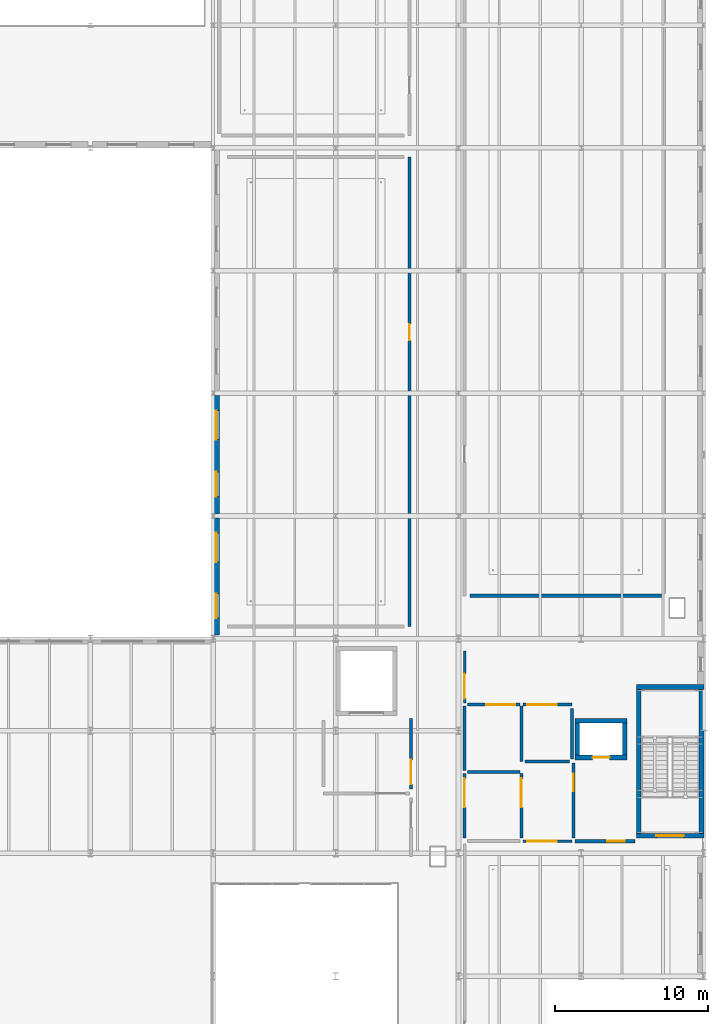
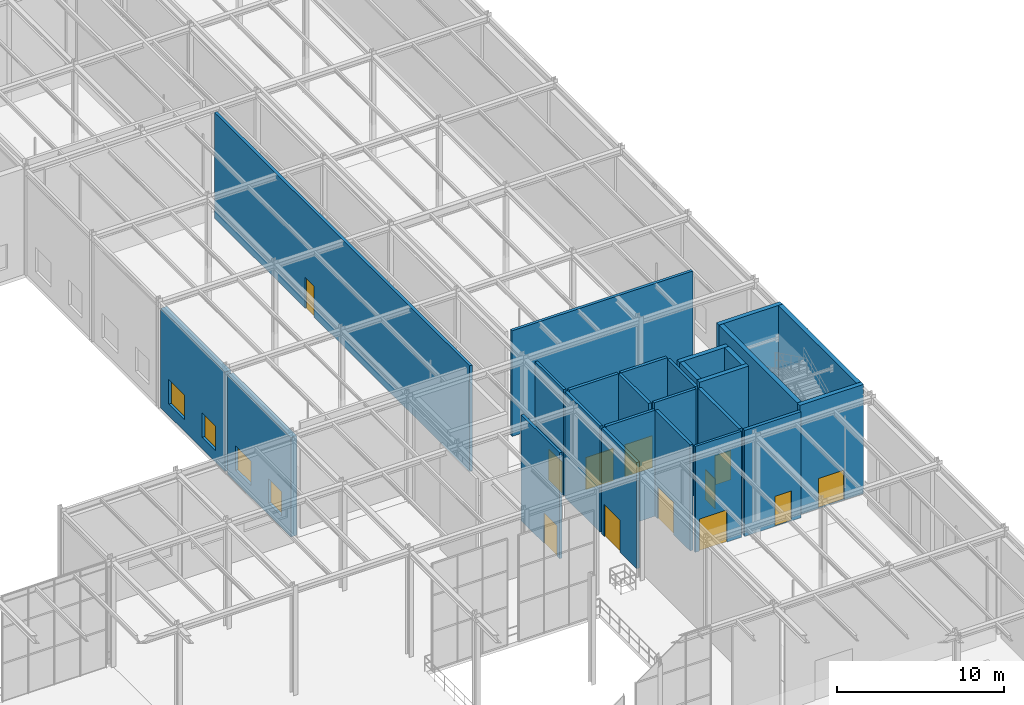
# One storey, part 97 of 138: 26 walls, 12 doors, 4 windows, 16 openings.
"""IFC4 building model written with IfcOpenShell, lengths in metres."""

from ifc_helpers import new_model, si_unit, direction, frame, frame_2d, origin, place, context, subcontext, project, spatial, rectangle, extrude, material, layer, layer_set, type_object, element, fill, save


model = new_model("IFC4")

# Units and contexts
model_context = context("Model", 3, precision=1e-05, world=origin(), true_north=direction((0.0, 1.0)))
body_context = subcontext(model_context, "Body", "Model", "MODEL_VIEW")
ifc_project = project(units=[si_unit("LENGTHUNIT", "METRE"), si_unit("AREAUNIT", "SQUARE_METRE"), si_unit("VOLUMEUNIT", "CUBIC_METRE"), si_unit("PLANEANGLEUNIT", "RADIAN"), si_unit("MASSUNIT", "GRAM", prefix="KILO")], contexts=[model_context])

# Site, building, storey
site_placement = place(None, origin())
site = spatial("IfcSite", under=ifc_project, at=site_placement, CompositionType="ELEMENT")
building_placement = place(site_placement, origin())
building = spatial("IfcBuilding", under=site, at=building_placement, Name="Sundkrona Museum", CompositionType="ELEMENT")
storey_placement = place(building_placement, frame((0.0, 0.0, 9.60009765625)))
storey = spatial("IfcBuildingStorey", under=building, at=storey_placement, Name="L02", CompositionType="ELEMENT", Elevation=9.60009765625)

# Wall, opening, door
ifc_material_1 = material(Name="Concrete C40/50", Category="concrete")
ifc_layer_1 = layer(ifc_material_1, 0.300048828125)
ifc_layer_set_1 = layer_set([ifc_layer_1], Name="Concrete C40/50")
wall_type_1 = type_object("IfcWallType", Name="W-CORE-300", PredefinedType="SHEAR", material=ifc_layer_set_1)
wall_1_placement = place(storey_placement, frame((163.60009765625, 33.14990234375, 0.0), z_axis=(0.0, 0.0, 1.0), x_axis=(1.0, 0.0, 0.0)))
wall_1 = element("IfcWall", 1, at=wall_1_placement, inside=storey, type_object=wall_type_1, Name="L02 ST-1 Core Shear Wall South", PredefinedType="SHEAR", context=body_context, shape_type="SweptSolid", body=[
    extrude(rectangle(XDim=4.39990234375, YDim=0.300048828125, at=frame_2d((2.199951171875, 0.0))), origin(), (0.0, 0.0, 1.0), 8.0),
])
opening_1_placement = place(wall_1_placement, frame((1.300048828125, 0.0, 0.0)))
opening_1 = element("IfcOpeningElement", 2, at=opening_1_placement, cuts=wall_1, Name="Opening D-FD60", PredefinedType="OPENING", context=body_context, shape_type="SweptSolid", body=[
    extrude(rectangle(XDim=1.800048828125, YDim=2.199951171875, at=frame_2d((0.89990234375, 1.10009765625))), frame((0.0, 0.159912109375, 0.0), z_axis=(0.0, -1.0, 0.0), x_axis=(1.0, 0.0, 0.0)), (0.0, 0.0, 1.0), 0.320068359375),
])
ifc_material_2 = material(Name="Steel S355J2 Fire Door Leaf", Category="steel")
door_type_1 = type_object("IfcDoorType", Name="D-FD60", OperationType="DOUBLE_DOOR_SINGLE_SWING", PredefinedType="DOOR", material=ifc_material_2)
door_1_placement = place(opening_1_placement, origin())
door_1 = element("IfcDoor", 3, at=door_1_placement, inside=storey, type_object=door_type_1, Name="L02 ST-1 Protected Escape Stair Door DR-ST-1-L02", OperationType="DOUBLE_DOOR_SINGLE_SWING", OverallHeight=2.199951171875, OverallWidth=1.800048828125, PredefinedType="DOOR", context=body_context, shape_type="SweptSolid", body=[
    extrude(rectangle(XDim=1.800048828125, YDim=2.199951171875, at=frame_2d((0.89990234375, 1.10009765625))), frame((0.0, 0.02490234375, 0.0), z_axis=(0.0, -1.0, 0.0), x_axis=(1.0, 0.0, 0.0)), (0.0, 0.0, 1.0), 0.050048828125),
])
fill(opening_1, door_1)

# Walls
wall_2_placement = place(storey_placement, frame((163.60009765625, 42.85009765625, 0.0), z_axis=(0.0, 0.0, 1.0), x_axis=(1.0, 0.0, 0.0)))
element("IfcWall", 4, at=wall_2_placement, inside=storey, type_object=wall_type_1, Name="L02 ST-1 Core Shear Wall North", PredefinedType="SHEAR", context=body_context, shape_type="SweptSolid", body=[
    extrude(rectangle(XDim=4.39990234375, YDim=0.300048828125, at=frame_2d((2.199951171875, 0.0))), origin(), (0.0, 0.0, 1.0), 8.0),
])
for number, where, z_axis, x_axis, name in (
    (5, (163.75, 33.31005859375, 0.0), (0.0, 0.0, 1.0), (0.0, 1.0, 0.0), "L02 ST-1 Core Shear Wall West"),
    (6, (167.85009765625, 33.31005859375, 0.0), (0.0, 0.0, 1.0), (0.0, 1.0, 0.0), "L02 ST-1 Core Shear Wall East"),
):
    element("IfcWall", number, at=place(storey_placement, frame(where, z_axis=z_axis, x_axis=x_axis)), inside=storey, type_object=wall_type_1, Name=name, PredefinedType="SHEAR", context=body_context, shape_type="SweptSolid", body=[
        extrude(rectangle(XDim=9.3798828125, YDim=0.300048828125, at=frame_2d((4.68994140625, 0.0))), origin(), (0.0, 0.0, 1.0), 8.0),
    ])

# Wall, opening, door
wall_3_placement = place(storey_placement, frame((159.60009765625, 38.25, 0.0), z_axis=(0.0, 0.0, 1.0), x_axis=(1.0, 0.0, 0.0)))
wall_3 = element("IfcWall", 7, at=wall_3_placement, inside=storey, type_object=wall_type_1, Name="L02 PL-1 Lift Shaft Wall South", PredefinedType="SHEAR", context=body_context, shape_type="SweptSolid", body=[
    extrude(rectangle(XDim=3.39990234375, YDim=0.300048828125, at=frame_2d((1.699951171875, 0.0))), origin(), (0.0, 0.0, 1.0), 8.0),
])
opening_2_placement = place(wall_3_placement, frame((1.14990234375, 0.0, 0.0)))
opening_2 = element("IfcOpeningElement", 8, at=opening_2_placement, cuts=wall_3, Name="Opening LD-01", PredefinedType="OPENING", context=body_context, shape_type="SweptSolid", body=[
    extrude(rectangle(XDim=1.10009765625, YDim=2.14990234375, at=frame_2d((0.550048828125, 1.074951171875))), frame((0.0, 0.159912109375, 0.0), z_axis=(0.0, -1.0, 0.0), x_axis=(1.0, 0.0, 0.0)), (0.0, 0.0, 1.0), 0.320068359375),
])
ifc_material_3 = material(Name="Brushed Stainless Steel Lift Door", Category="steel")
door_type_2 = type_object("IfcDoorType", Name="LD-01", OperationType="SLIDING_TO_LEFT", PredefinedType="DOOR", material=ifc_material_3)
door_2_placement = place(opening_2_placement, origin())
door_2 = element("IfcDoor", 9, at=door_2_placement, inside=storey, type_object=door_type_2, Name="L02 Firefighters Passenger Lift PL-1 Landing Door DR-LIFT-PL-1-L02", OperationType="SLIDING_TO_LEFT", OverallHeight=2.14990234375, OverallWidth=1.10009765625, PredefinedType="DOOR", context=body_context, shape_type="SweptSolid", body=[
    extrude(rectangle(XDim=1.10009765625, YDim=2.14990234375, at=frame_2d((0.550048828125, 1.074951171875))), frame((0.0, 0.02490234375, 0.0), z_axis=(0.0, -1.0, 0.0), x_axis=(1.0, 0.0, 0.0)), (0.0, 0.0, 1.0), 0.050048828125),
])
fill(opening_2, door_2)

# Walls
wall_4_placement = place(storey_placement, frame((159.60009765625, 40.64990234375, 0.0), z_axis=(0.0, 0.0, 1.0), x_axis=(1.0, 0.0, 0.0)))
element("IfcWall", 10, at=wall_4_placement, inside=storey, type_object=wall_type_1, Name="L02 PL-1 Lift Shaft Wall North", PredefinedType="SHEAR", context=body_context, shape_type="SweptSolid", body=[
    extrude(rectangle(XDim=3.39990234375, YDim=0.300048828125, at=frame_2d((1.699951171875, 0.0))), origin(), (0.0, 0.0, 1.0), 8.0),
])
for number, where, z_axis, x_axis, name in (
    (11, (159.75, 38.409912109375, 0.0), (0.0, 0.0, 1.0), (0.0, 1.0, 0.0), "L02 PL-1 Lift Shaft Wall West"),
    (12, (162.85009765625, 38.409912109375, 0.0), (0.0, 0.0, 1.0), (0.0, 1.0, 0.0), "L02 PL-1 Lift Shaft Wall East"),
):
    element("IfcWall", number, at=place(storey_placement, frame(where, z_axis=z_axis, x_axis=x_axis)), inside=storey, type_object=wall_type_1, Name=name, PredefinedType="SHEAR", context=body_context, shape_type="SweptSolid", body=[
        extrude(rectangle(XDim=2.080078125, YDim=0.300048828125, at=frame_2d((1.0400390625, 0.0))), origin(), (0.0, 0.0, 1.0), 8.0),
    ])

# Wall, openings, windows
ifc_material_4 = material(Name="Scanian Polychrome Clay Brickwork 420 mm", Category="masonry")
ifc_layer_2 = layer(ifc_material_4, 0.419921875)
ifc_layer_set_2 = layer_set([ifc_layer_2], Name="Scanian Polychrome Clay Brickwork 420 mm")
wall_type_2 = type_object("IfcWallType", Name="W-EX-420", PredefinedType="SOLIDWALL", material=ifc_layer_set_2)
wall_5_placement = place(storey_placement, frame((136.2099609375, 46.22705078125, 0.0), z_axis=(0.0, 0.0, 1.0), x_axis=(0.0, 1.0, 0.0)))
wall_5 = element("IfcWall", 13, at=wall_5_placement, inside=storey, type_object=wall_type_2, Name="L02 Facade Wall 0300", PredefinedType="SOLIDWALL", context=body_context, shape_type="SweptSolid", body=[
    extrude(rectangle(XDim=7.630859375, YDim=0.419921875, at=frame_2d((3.8154296875, 0.0))), origin(), (0.0, 0.0, 1.0), 7.284912109375),
])
opening_3_placement = place(wall_5_placement, frame((1.10791015625, 0.0, 0.85009765625)))
opening_3 = element("IfcOpeningElement", 14, at=opening_3_placement, cuts=wall_5, Name="Opening WN-LB-160x180", PredefinedType="OPENING", context=body_context, shape_type="SweptSolid", body=[
    extrude(rectangle(XDim=1.60009765625, YDim=1.800048828125, at=frame_2d((0.800048828125, 0.89990234375))), frame((0.0, 0.219970703125, 0.0), z_axis=(0.0, -1.0, 0.0), x_axis=(1.0, 0.0, 0.0)), (0.0, 0.0, 1.0), 0.43994140625),
])
opening_4_placement = place(wall_5_placement, frame((4.773193359375, 0.0, 0.85009765625)))
opening_4 = element("IfcOpeningElement", 15, at=opening_4_placement, cuts=wall_5, Name="Opening WN-LB-190x180", PredefinedType="OPENING", context=body_context, shape_type="SweptSolid", body=[
    extrude(rectangle(XDim=1.89990234375, YDim=1.800048828125, at=frame_2d((0.949951171875, 0.89990234375))), frame((0.0, 0.219970703125, 0.0), z_axis=(0.0, -1.0, 0.0), x_axis=(1.0, 0.0, 0.0)), (0.0, 0.0, 1.0), 0.43994140625),
])
ifc_material_5 = material(Name="Triple Low-E Argon Glazing in Bronze-Anodised Aluminium", Category="aluminium")
window_type_1 = type_object("IfcWindowType", Name="WN-LB-160x180", PartitioningType="DOUBLE_PANEL_VERTICAL", PredefinedType="WINDOW", material=ifc_material_5)
window_1_placement = place(opening_3_placement, origin())
window_1 = element("IfcWindow", 16, at=window_1_placement, inside=storey, type_object=window_type_1, Name="L02 Conservation laboratory deep-reveal window 1600x1800 WIN-L02-0409", OverallHeight=1.800048828125, OverallWidth=1.60009765625, PartitioningType="DOUBLE_PANEL_VERTICAL", PredefinedType="WINDOW", context=body_context, shape_type="SweptSolid", body=[
    extrude(rectangle(XDim=1.60009765625, YDim=1.800048828125, at=frame_2d((0.800048828125, 0.89990234375))), frame((0.0, 0.030029296875, 0.0), z_axis=(0.0, -1.0, 0.0), x_axis=(1.0, 0.0, 0.0)), (0.0, 0.0, 1.0), 0.06005859375),
])
fill(opening_3, window_1)
window_type_2 = type_object("IfcWindowType", Name="WN-LB-190x180", PartitioningType="DOUBLE_PANEL_VERTICAL", PredefinedType="WINDOW", material=ifc_material_5)
window_2_placement = place(opening_4_placement, origin())
window_2 = element("IfcWindow", 17, at=window_2_placement, inside=storey, type_object=window_type_2, Name="L02 Analytical studio bench-height window 1900x1800 WIN-L02-0410", OverallHeight=1.800048828125, OverallWidth=1.89990234375, PartitioningType="DOUBLE_PANEL_VERTICAL", PredefinedType="WINDOW", context=body_context, shape_type="SweptSolid", body=[
    extrude(rectangle(XDim=1.89990234375, YDim=1.800048828125, at=frame_2d((0.949951171875, 0.89990234375))), frame((0.0, 0.030029296875, 0.0), z_axis=(0.0, -1.0, 0.0), x_axis=(1.0, 0.0, 0.0)), (0.0, 0.0, 1.0), 0.06005859375),
])
fill(opening_4, window_2)

wall_6_placement = place(storey_placement, frame((136.2099609375, 54.14208984375, 0.0), z_axis=(0.0, 0.0, 1.0), x_axis=(0.0, 1.0, 0.0)))
wall_6 = element("IfcWall", 18, at=wall_6_placement, inside=storey, type_object=wall_type_2, Name="L02 Facade Wall 0301", PredefinedType="SOLIDWALL", context=body_context, shape_type="SweptSolid", body=[
    extrude(rectangle(XDim=7.7158203125, YDim=0.419921875, at=frame_2d((3.85791015625, 0.0))), origin(), (0.0, 0.0, 1.0), 7.284912109375),
])
opening_5_placement = place(wall_6_placement, frame((1.12890625, 0.0, 0.85009765625)))
opening_5 = element("IfcOpeningElement", 19, at=opening_5_placement, cuts=wall_6, Name="Opening WN-LB-160x180", PredefinedType="OPENING", context=body_context, shape_type="SweptSolid", body=[
    extrude(rectangle(XDim=1.60009765625, YDim=1.800048828125, at=frame_2d((0.800048828125, 0.89990234375))), frame((0.0, 0.219970703125, 0.0), z_axis=(0.0, -1.0, 0.0), x_axis=(1.0, 0.0, 0.0)), (0.0, 0.0, 1.0), 0.43994140625),
])
opening_6_placement = place(wall_6_placement, frame((4.8369140625, 0.0, 0.85009765625)))
opening_6 = element("IfcOpeningElement", 20, at=opening_6_placement, cuts=wall_6, Name="Opening WN-LB-190x180", PredefinedType="OPENING", context=body_context, shape_type="SweptSolid", body=[
    extrude(rectangle(XDim=1.89990234375, YDim=1.800048828125, at=frame_2d((0.949951171875, 0.89990234375))), frame((0.0, 0.219970703125, 0.0), z_axis=(0.0, -1.0, 0.0), x_axis=(1.0, 0.0, 0.0)), (0.0, 0.0, 1.0), 0.43994140625),
])
window_3_placement = place(opening_5_placement, origin())
window_3 = element("IfcWindow", 21, at=window_3_placement, inside=storey, type_object=window_type_1, Name="L02 Conservation laboratory deep-reveal window 1600x1800 WIN-L02-0411", OverallHeight=1.800048828125, OverallWidth=1.60009765625, PartitioningType="DOUBLE_PANEL_VERTICAL", PredefinedType="WINDOW", context=body_context, shape_type="SweptSolid", body=[
    extrude(rectangle(XDim=1.60009765625, YDim=1.800048828125, at=frame_2d((0.800048828125, 0.89990234375))), frame((0.0, 0.030029296875, 0.0), z_axis=(0.0, -1.0, 0.0), x_axis=(1.0, 0.0, 0.0)), (0.0, 0.0, 1.0), 0.06005859375),
])
fill(opening_5, window_3)
window_4_placement = place(opening_6_placement, origin())
window_4 = element("IfcWindow", 22, at=window_4_placement, inside=storey, type_object=window_type_2, Name="L02 Analytical studio bench-height window 1900x1800 WIN-L02-0412", OverallHeight=1.800048828125, OverallWidth=1.89990234375, PartitioningType="DOUBLE_PANEL_VERTICAL", PredefinedType="WINDOW", context=body_context, shape_type="SweptSolid", body=[
    extrude(rectangle(XDim=1.89990234375, YDim=1.800048828125, at=frame_2d((0.949951171875, 0.89990234375))), frame((0.0, 0.030029296875, 0.0), z_axis=(0.0, -1.0, 0.0), x_axis=(1.0, 0.0, 0.0)), (0.0, 0.0, 1.0), 0.06005859375),
])
fill(opening_6, window_4)

# Wall, opening, door
ifc_material_6 = material(Name="Autoclaved Aerated Masonry 225 mm", Category="masonry")
ifc_layer_3 = layer(ifc_material_6, 0.22509765625)
ifc_layer_set_3 = layer_set([ifc_layer_3], Name="Autoclaved Aerated Masonry 225 mm")
wall_type_3 = type_object("IfcWallType", Name="W-FF-225", PredefinedType="SOLIDWALL", material=ifc_layer_set_3)
wall_7_placement = place(storey_placement, frame((159.5, 33.0, 0.0), z_axis=(0.0, 0.0, 1.0), x_axis=(0.0, 1.0, 0.0)))
wall_7 = element("IfcWall", 23, at=wall_7_placement, inside=storey, type_object=wall_type_3, Name="L02 Partition Firefighting Lobby / Core 1 Level 02 Link", PredefinedType="SOLIDWALL", context=body_context, shape_type="SweptSolid", body=[
    extrude(rectangle(XDim=4.89990234375, YDim=0.22509765625, at=frame_2d((2.449951171875, 0.0))), origin(), (0.0, 0.0, 1.0), 7.760009765625),
])
opening_7_placement = place(wall_7_placement, frame((3.05615234375, 0.0, 0.0)))
opening_7 = element("IfcOpeningElement", 24, at=opening_7_placement, cuts=wall_7, Name="Opening D-FF60", PredefinedType="OPENING", context=body_context, shape_type="SweptSolid", body=[
    extrude(rectangle(XDim=1.14990234375, YDim=2.199951171875, at=frame_2d((0.574951171875, 1.10009765625))), frame((0.0, 0.12255859375, 0.0), z_axis=(0.0, -1.0, 0.0), x_axis=(1.0, 0.0, 0.0)), (0.0, 0.0, 1.0), 0.2451171875),
])
door_type_3 = type_object("IfcDoorType", Name="D-FF60", OperationType="NOTDEFINED", PredefinedType="DOOR", material=ifc_material_2)
door_3_placement = place(opening_7_placement, origin())
door_3 = element("IfcDoor", 25, at=door_3_placement, inside=storey, type_object=door_type_3, Name="L02 Interior Door DR-ADJ-L02-0112", OperationType="SINGLE_SWING_RIGHT", OverallHeight=2.199951171875, OverallWidth=1.14990234375, PredefinedType="DOOR", context=body_context, shape_type="SweptSolid", body=[
    extrude(rectangle(XDim=1.14990234375, YDim=2.199951171875, at=frame_2d((0.574951171875, 1.10009765625))), frame((0.0, 0.02490234375, 0.0), z_axis=(0.0, -1.0, 0.0), x_axis=(1.0, 0.0, 0.0)), (0.0, 0.0, 1.0), 0.050048828125),
])
fill(opening_7, door_3)

wall_8_placement = place(storey_placement, frame((159.60009765625, 32.800048828125, 0.0), z_axis=(0.0, 0.0, 1.0), x_axis=(1.0, 0.0, 0.0)))
wall_8 = element("IfcWall", 26, at=wall_8_placement, inside=storey, type_object=wall_type_3, Name="L02 Partition Firefighting Lobby / Scandinavian Megafauna Gallery", PredefinedType="SOLIDWALL", context=body_context, shape_type="SweptSolid", body=[
    extrude(rectangle(XDim=3.89990234375, YDim=0.22509765625, at=frame_2d((1.949951171875, 0.0))), origin(), (0.0, 0.0, 1.0), 7.760009765625),
])
opening_8_placement = place(wall_8_placement, frame((2.091796875, 0.0, 0.0)))
opening_8 = element("IfcOpeningElement", 27, at=opening_8_placement, cuts=wall_8, Name="Opening D-FF60", PredefinedType="OPENING", context=body_context, shape_type="SweptSolid", body=[
    extrude(rectangle(XDim=1.14990234375, YDim=2.199951171875, at=frame_2d((0.574951171875, 1.10009765625))), frame((0.0, 0.12255859375, 0.0), z_axis=(0.0, -1.0, 0.0), x_axis=(1.0, 0.0, 0.0)), (0.0, 0.0, 1.0), 0.2451171875),
])
door_4_placement = place(opening_8_placement, origin())
door_4 = element("IfcDoor", 28, at=door_4_placement, inside=storey, type_object=door_type_3, Name="L02 Interior Door DR-ADJ-L02-0113", OperationType="SINGLE_SWING_LEFT", OverallHeight=2.199951171875, OverallWidth=1.14990234375, PredefinedType="DOOR", context=body_context, shape_type="SweptSolid", body=[
    extrude(rectangle(XDim=1.14990234375, YDim=2.199951171875, at=frame_2d((0.574951171875, 1.10009765625))), frame((0.0, 0.02490234375, 0.0), z_axis=(0.0, -1.0, 0.0), x_axis=(1.0, 0.0, 0.0)), (0.0, 0.0, 1.0), 0.050048828125),
])
fill(opening_8, door_4)

ifc_material_7 = material(Name="Fire-rated Gypsum Partition Board 175 mm", Category="other")
ifc_layer_4 = layer(ifc_material_7, 0.175048828125)
ifc_layer_set_4 = layer_set([ifc_layer_4], Name="Fire-rated Gypsum Partition Board 175 mm")
wall_type_4 = type_object("IfcWallType", Name="W-PT-175", PredefinedType="PARTITIONING", material=ifc_layer_set_4)
wall_9_placement = place(storey_placement, frame((148.89990234375, 36.199951171875, 0.0), z_axis=(0.0, 0.0, 1.0), x_axis=(0.0, 1.0, 0.0)))
wall_9 = element("IfcWall", 29, at=wall_9_placement, inside=storey, type_object=wall_type_4, Name="L02 Partition Goods Lift Lobby / East Conservation Corridor", PredefinedType="PARTITIONING", context=body_context, shape_type="SweptSolid", body=[
    extrude(rectangle(XDim=4.60009765625, YDim=0.175048828125, at=frame_2d((2.300048828125, 0.0))), origin(), (0.0, 0.0, 1.0), 7.760009765625),
])
opening_9_placement = place(wall_9_placement, frame((0.300048828125, 0.0, 0.0)))
opening_9 = element("IfcOpeningElement", 30, at=opening_9_placement, cuts=wall_9, Name="Opening D-CMP-160", PredefinedType="OPENING", context=body_context, shape_type="SweptSolid", body=[
    extrude(rectangle(XDim=1.60009765625, YDim=2.25, at=frame_2d((0.800048828125, 1.125))), frame((0.0, 0.097412109375, 0.0), z_axis=(0.0, -1.0, 0.0), x_axis=(1.0, 0.0, 0.0)), (0.0, 0.0, 1.0), 0.195068359375),
])
ifc_material_8 = material(Name="Glazed Steel Fire Screen Door", Category="steel")
door_type_4 = type_object("IfcDoorType", Name="D-CMP-160", OperationType="DOUBLE_DOOR_SINGLE_SWING", PredefinedType="DOOR", material=ifc_material_8)
door_5_placement = place(opening_9_placement, origin())
door_5 = element("IfcDoor", 31, at=door_5_placement, inside=storey, type_object=door_type_4, Name="L02 Interior Door DR-ADJ-L02-0115", OperationType="DOUBLE_DOOR_SINGLE_SWING", OverallHeight=2.25, OverallWidth=1.60009765625, PredefinedType="DOOR", context=body_context, shape_type="SweptSolid", body=[
    extrude(rectangle(XDim=1.60009765625, YDim=2.25, at=frame_2d((0.800048828125, 1.125))), frame((0.0, 0.02490234375, 0.0), z_axis=(0.0, -1.0, 0.0), x_axis=(1.0, 0.0, 0.0)), (0.0, 0.0, 1.0), 0.050048828125),
])
fill(opening_9, door_5)

wall_10_placement = place(storey_placement, frame((152.39990234375, 41.800048828125, 0.0), z_axis=(0.0, 0.0, 1.0), x_axis=(0.0, 1.0, 0.0)))
wall_10 = element("IfcWall", 32, at=wall_10_placement, inside=storey, type_object=wall_type_4, Name="L02 Partition Sanitary WC Lobby / East Conservation Corridor", PredefinedType="PARTITIONING", context=body_context, shape_type="SweptSolid", body=[
    extrude(rectangle(XDim=3.39990234375, YDim=0.175048828125, at=frame_2d((1.699951171875, 0.0))), origin(), (0.0, 0.0, 1.0), 7.760009765625),
])
opening_10_placement = place(wall_10_placement, frame((0.300048828125, 0.0, 0.0)))
opening_10 = element("IfcOpeningElement", 33, at=opening_10_placement, cuts=wall_10, Name="Opening D-CMP-160", PredefinedType="OPENING", context=body_context, shape_type="SweptSolid", body=[
    extrude(rectangle(XDim=1.60009765625, YDim=2.25, at=frame_2d((0.800048828125, 1.125))), frame((0.0, 0.097412109375, 0.0), z_axis=(0.0, -1.0, 0.0), x_axis=(1.0, 0.0, 0.0)), (0.0, 0.0, 1.0), 0.195068359375),
])
door_6_placement = place(opening_10_placement, origin())
door_6 = element("IfcDoor", 34, at=door_6_placement, inside=storey, type_object=door_type_4, Name="L02 Interior Door DR-ADJ-L02-0118", OperationType="DOUBLE_DOOR_SINGLE_SWING", OverallHeight=2.25, OverallWidth=1.60009765625, PredefinedType="DOOR", context=body_context, shape_type="SweptSolid", body=[
    extrude(rectangle(XDim=1.60009765625, YDim=2.25, at=frame_2d((0.800048828125, 1.125))), frame((0.0, 0.02490234375, 0.0), z_axis=(0.0, -1.0, 0.0), x_axis=(1.0, 0.0, 0.0)), (0.0, 0.0, 1.0), 0.050048828125),
])
fill(opening_10, door_6)

wall_11_placement = place(storey_placement, frame((156.199951171875, 32.800048828125, 0.0), z_axis=(0.0, 0.0, 1.0), x_axis=(1.0, 0.0, 0.0)))
wall_11 = element("IfcWall", 35, at=wall_11_placement, inside=storey, type_object=wall_type_4, Name="L02 Partition Core 1 Level 02 Link / Scandinavian Megafauna Gallery", PredefinedType="PARTITIONING", context=body_context, shape_type="SweptSolid", body=[
    extrude(rectangle(XDim=3.199951171875, YDim=0.175048828125, at=frame_2d((1.60009765625, 0.0))), origin(), (0.0, 0.0, 1.0), 7.760009765625),
])
opening_11_placement = place(wall_11_placement, frame((0.300048828125, 0.0, 0.0)))
opening_11 = element("IfcOpeningElement", 36, at=opening_11_placement, cuts=wall_11, Name="Opening D-AUD-190", PredefinedType="OPENING", context=body_context, shape_type="SweptSolid", body=[
    extrude(rectangle(XDim=1.89990234375, YDim=2.35009765625, at=frame_2d((0.949951171875, 1.175048828125))), frame((0.0, 0.097412109375, 0.0), z_axis=(0.0, -1.0, 0.0), x_axis=(1.0, 0.0, 0.0)), (0.0, 0.0, 1.0), 0.195068359375),
])
ifc_material_9 = material(Name="Acoustic Oak Fire Door", Category="other")
door_type_5 = type_object("IfcDoorType", Name="D-AUD-190", OperationType="DOUBLE_DOOR_SINGLE_SWING", PredefinedType="DOOR", material=ifc_material_9)
door_7_placement = place(opening_11_placement, origin())
door_7 = element("IfcDoor", 37, at=door_7_placement, inside=storey, type_object=door_type_5, Name="L02 Interior Door DR-ADJ-L02-0135", OperationType="DOUBLE_DOOR_SINGLE_SWING", OverallHeight=2.35009765625, OverallWidth=1.89990234375, PredefinedType="DOOR", context=body_context, shape_type="SweptSolid", body=[
    extrude(rectangle(XDim=1.89990234375, YDim=2.35009765625, at=frame_2d((0.949951171875, 1.175048828125))), frame((0.0, 0.02490234375, 0.0), z_axis=(0.0, -1.0, 0.0), x_axis=(1.0, 0.0, 0.0)), (0.0, 0.0, 1.0), 0.050048828125),
])
fill(opening_11, door_7)

ifc_material_10 = material(Name="Moisture-resistant Tile Partition 200 mm", Category="other")
ifc_layer_5 = layer(ifc_material_10, 0.199951171875)
ifc_layer_set_5 = layer_set([ifc_layer_5], Name="Moisture-resistant Tile Partition 200 mm")
wall_type_5 = type_object("IfcWallType", Name="W-PT-200", PredefinedType="PARTITIONING", material=ifc_layer_set_5)
wall_12_placement = place(storey_placement, frame((152.60009765625, 41.699951171875, 0.0), z_axis=(0.0, 0.0, 1.0), x_axis=(1.0, 0.0, 0.0)))
wall_12 = element("IfcWall", 38, at=wall_12_placement, inside=storey, type_object=wall_type_5, Name="L02 Partition Sanitary WC Lobby / Female Toilet", PredefinedType="PARTITIONING", context=body_context, shape_type="SweptSolid", body=[
    extrude(rectangle(XDim=3.39990234375, YDim=0.199951171875, at=frame_2d((1.699951171875, 0.0))), origin(), (0.0, 0.0, 1.0), 7.760009765625),
])
opening_12_placement = place(wall_12_placement, frame((1.199951171875, 0.0, 0.0)))
opening_12 = element("IfcOpeningElement", 39, at=opening_12_placement, cuts=wall_12, Name="Opening D-AUD-190", PredefinedType="OPENING", context=body_context, shape_type="SweptSolid", body=[
    extrude(rectangle(XDim=1.89990234375, YDim=2.35009765625, at=frame_2d((0.949951171875, 1.175048828125))), frame((0.0, 0.10986328125, 0.0), z_axis=(0.0, -1.0, 0.0), x_axis=(1.0, 0.0, 0.0)), (0.0, 0.0, 1.0), 0.219970703125),
])
door_8_placement = place(opening_12_placement, origin())
door_8 = element("IfcDoor", 40, at=door_8_placement, inside=storey, type_object=door_type_5, Name="L02 Interior Door DR-ADJ-L02-0116", OperationType="DOUBLE_DOOR_SINGLE_SWING", OverallHeight=2.35009765625, OverallWidth=1.89990234375, PredefinedType="DOOR", context=body_context, shape_type="SweptSolid", body=[
    extrude(rectangle(XDim=1.89990234375, YDim=2.35009765625, at=frame_2d((0.949951171875, 1.175048828125))), frame((0.0, 0.02490234375, 0.0), z_axis=(0.0, -1.0, 0.0), x_axis=(1.0, 0.0, 0.0)), (0.0, 0.0, 1.0), 0.050048828125),
])
fill(opening_12, door_8)

wall_13_placement = place(storey_placement, frame((156.199951171875, 41.699951171875, 0.0), z_axis=(0.0, 0.0, 1.0), x_axis=(1.0, 0.0, 0.0)))
wall_13 = element("IfcWall", 41, at=wall_13_placement, inside=storey, type_object=wall_type_5, Name="L02 Partition Sanitary WC Lobby / Accessible WC", PredefinedType="PARTITIONING", context=body_context, shape_type="SweptSolid", body=[
    extrude(rectangle(XDim=3.199951171875, YDim=0.199951171875, at=frame_2d((1.60009765625, 0.0))), origin(), (0.0, 0.0, 1.0), 7.760009765625),
])
opening_13_placement = place(wall_13_placement, frame((0.300048828125, 0.0, 0.0)))
opening_13 = element("IfcOpeningElement", 42, at=opening_13_placement, cuts=wall_13, Name="Opening D-AUD-190", PredefinedType="OPENING", context=body_context, shape_type="SweptSolid", body=[
    extrude(rectangle(XDim=1.89990234375, YDim=2.35009765625, at=frame_2d((0.949951171875, 1.175048828125))), frame((0.0, 0.10986328125, 0.0), z_axis=(0.0, -1.0, 0.0), x_axis=(1.0, 0.0, 0.0)), (0.0, 0.0, 1.0), 0.219970703125),
])
door_9_placement = place(opening_13_placement, origin())
door_9 = element("IfcDoor", 43, at=door_9_placement, inside=storey, type_object=door_type_5, Name="L02 Interior Door DR-ADJ-L02-0117", OperationType="DOUBLE_DOOR_SINGLE_SWING", OverallHeight=2.35009765625, OverallWidth=1.89990234375, PredefinedType="DOOR", context=body_context, shape_type="SweptSolid", body=[
    extrude(rectangle(XDim=1.89990234375, YDim=2.35009765625, at=frame_2d((0.949951171875, 1.175048828125))), frame((0.0, 0.02490234375, 0.0), z_axis=(0.0, -1.0, 0.0), x_axis=(1.0, 0.0, 0.0)), (0.0, 0.0, 1.0), 0.050048828125),
])
fill(opening_13, door_9)

# Wall
wall_14_placement = place(storey_placement, frame((152.60009765625, 37.300048828125, 0.0), z_axis=(0.0, 0.0, 1.0), x_axis=(1.0, 0.0, 0.0)))
element("IfcWall", 44, at=wall_14_placement, inside=storey, type_object=wall_type_5, Name="L02 Partition Male Toilet / Female Toilet", PredefinedType="PARTITIONING", context=body_context, shape_type="SweptSolid", body=[
    extrude(rectangle(XDim=3.39990234375, YDim=0.199951171875, at=frame_2d((1.699951171875, 0.0))), origin(), (0.0, 0.0, 1.0), 7.760009765625),
])

# Wall, opening, door
wall_15_placement = place(storey_placement, frame((152.39990234375, 33.0, 0.0), z_axis=(0.0, 0.0, 1.0), x_axis=(0.0, 1.0, 0.0)))
wall_15 = element("IfcWall", 45, at=wall_15_placement, inside=storey, type_object=wall_type_5, Name="L02 Partition Male Toilet / East Conservation Corridor", PredefinedType="PARTITIONING", context=body_context, shape_type="SweptSolid", body=[
    extrude(rectangle(XDim=4.199951171875, YDim=0.199951171875, at=frame_2d((2.10009765625, 0.0))), origin(), (0.0, 0.0, 1.0), 7.760009765625),
])
opening_14_placement = place(wall_15_placement, frame((2.0, 0.0, 0.0)))
opening_14 = element("IfcOpeningElement", 46, at=opening_14_placement, cuts=wall_15, Name="Opening D-AUD-190", PredefinedType="OPENING", context=body_context, shape_type="SweptSolid", body=[
    extrude(rectangle(XDim=1.89990234375, YDim=2.35009765625, at=frame_2d((0.949951171875, 1.175048828125))), frame((0.0, 0.10986328125, 0.0), z_axis=(0.0, -1.0, 0.0), x_axis=(1.0, 0.0, 0.0)), (0.0, 0.0, 1.0), 0.219970703125),
])
door_10_placement = place(opening_14_placement, origin())
door_10 = element("IfcDoor", 47, at=door_10_placement, inside=storey, type_object=door_type_5, Name="L02 Interior Door DR-ADJ-L02-0119", OperationType="DOUBLE_DOOR_SINGLE_SWING", OverallHeight=2.35009765625, OverallWidth=1.89990234375, PredefinedType="DOOR", context=body_context, shape_type="SweptSolid", body=[
    extrude(rectangle(XDim=1.89990234375, YDim=2.35009765625, at=frame_2d((0.949951171875, 1.175048828125))), frame((0.0, 0.02490234375, 0.0), z_axis=(0.0, -1.0, 0.0), x_axis=(1.0, 0.0, 0.0)), (0.0, 0.0, 1.0), 0.050048828125),
])
fill(opening_14, door_10)

wall_16_placement = place(storey_placement, frame((156.10009765625, 33.0, 0.0), z_axis=(0.0, 0.0, 1.0), x_axis=(0.0, 1.0, 0.0)))
wall_16 = element("IfcWall", 48, at=wall_16_placement, inside=storey, type_object=wall_type_5, Name="L02 Partition Male Toilet / Core 1 Level 02 Link", PredefinedType="PARTITIONING", context=body_context, shape_type="SweptSolid", body=[
    extrude(rectangle(XDim=4.199951171875, YDim=0.199951171875, at=frame_2d((2.10009765625, 0.0))), origin(), (0.0, 0.0, 1.0), 7.760009765625),
])
opening_15_placement = place(wall_16_placement, frame((2.0, 0.0, 0.0)))
opening_15 = element("IfcOpeningElement", 49, at=opening_15_placement, cuts=wall_16, Name="Opening D-AUD-190", PredefinedType="OPENING", context=body_context, shape_type="SweptSolid", body=[
    extrude(rectangle(XDim=1.89990234375, YDim=2.35009765625, at=frame_2d((0.949951171875, 1.175048828125))), frame((0.0, 0.10986328125, 0.0), z_axis=(0.0, -1.0, 0.0), x_axis=(1.0, 0.0, 0.0)), (0.0, 0.0, 1.0), 0.219970703125),
])
door_11_placement = place(opening_15_placement, origin())
door_11 = element("IfcDoor", 50, at=door_11_placement, inside=storey, type_object=door_type_5, Name="L02 Interior Door DR-ADJ-L02-0120", OperationType="DOUBLE_DOOR_SINGLE_SWING", OverallHeight=2.35009765625, OverallWidth=1.89990234375, PredefinedType="DOOR", context=body_context, shape_type="SweptSolid", body=[
    extrude(rectangle(XDim=1.89990234375, YDim=2.35009765625, at=frame_2d((0.949951171875, 1.175048828125))), frame((0.0, 0.02490234375, 0.0), z_axis=(0.0, -1.0, 0.0), x_axis=(1.0, 0.0, 0.0)), (0.0, 0.0, 1.0), 0.050048828125),
])
fill(opening_15, door_11)

# Walls
wall_17_placement = place(storey_placement, frame((156.10009765625, 38.0, 0.0), z_axis=(0.0, 0.0, 1.0), x_axis=(0.0, 1.0, 0.0)))
element("IfcWall", 51, at=wall_17_placement, inside=storey, type_object=wall_type_5, Name="L02 Partition Female Toilet / Accessible WC", PredefinedType="PARTITIONING", context=body_context, shape_type="SweptSolid", body=[
    extrude(rectangle(XDim=3.60009765625, YDim=0.199951171875, at=frame_2d((1.800048828125, 0.0))), origin(), (0.0, 0.0, 1.0), 7.760009765625),
])
wall_18_placement = place(storey_placement, frame((152.39990234375, 37.39990234375, 0.0), z_axis=(0.0, 0.0, 1.0), x_axis=(0.0, 1.0, 0.0)))
element("IfcWall", 52, at=wall_18_placement, inside=storey, type_object=wall_type_5, Name="L02 Partition Female Toilet / East Conservation Corridor", PredefinedType="PARTITIONING", context=body_context, shape_type="SweptSolid", body=[
    extrude(rectangle(XDim=4.2001953125, YDim=0.199951171875, at=frame_2d((2.10009765625, 0.0))), origin(), (0.0, 0.0, 1.0), 7.760009765625),
])

# Wall, opening, door
wall_19_placement = place(storey_placement, frame((148.800048828125, 46.800048828125, 0.0), z_axis=(0.0, 0.0, 1.0), x_axis=(0.0, 1.0, 0.0)))
wall_19 = element("IfcWall", 53, at=wall_19_placement, inside=storey, type_object=wall_type_5, Name="L02 Partition East Conservation Corridor / Specimen Preparation Laboratory", PredefinedType="PARTITIONING", context=body_context, shape_type="SweptSolid", body=[
    extrude(rectangle(XDim=30.599853515625, YDim=0.199951171875, at=frame_2d((15.2998046875, 0.0))), origin(), (0.0, 0.0, 1.0), 7.739990234375),
])
opening_16_placement = place(wall_19_placement, frame((18.658447265625, 0.0, 0.0)))
opening_16 = element("IfcOpeningElement", 54, at=opening_16_placement, cuts=wall_19, Name="Opening D-LAB-105", PredefinedType="OPENING", context=body_context, shape_type="SweptSolid", body=[
    extrude(rectangle(XDim=1.050048828125, YDim=2.25, at=frame_2d((0.52490234375, 1.125))), frame((0.0, 0.10986328125, 0.0), z_axis=(0.0, -1.0, 0.0), x_axis=(1.0, 0.0, 0.0)), (0.0, 0.0, 1.0), 0.219970703125),
])
ifc_material_11 = material(Name="Laminated Timber Lab Door", Category="wood")
door_type_6 = type_object("IfcDoorType", Name="D-LAB-105", OperationType="NOTDEFINED", PredefinedType="DOOR", material=ifc_material_11)
door_12_placement = place(opening_16_placement, origin())
door_12 = element("IfcDoor", 55, at=door_12_placement, inside=storey, type_object=door_type_6, Name="L02 Interior Door DR-ADJ-L02-0134", OperationType="SINGLE_SWING_RIGHT", OverallHeight=2.25, OverallWidth=1.050048828125, PredefinedType="DOOR", context=body_context, shape_type="SweptSolid", body=[
    extrude(rectangle(XDim=1.050048828125, YDim=2.25, at=frame_2d((0.52490234375, 1.125))), frame((0.0, 0.02490234375, 0.0), z_axis=(0.0, -1.0, 0.0), x_axis=(1.0, 0.0, 0.0)), (0.0, 0.0, 1.0), 0.050048828125),
])
fill(opening_16, door_12)

# Walls
wall_20_placement = place(storey_placement, frame((156.35009765625, 38.0, 0.0), z_axis=(0.0, 0.0, 1.0), x_axis=(1.0, 0.0, 0.0)))
element("IfcWall", 56, at=wall_20_placement, inside=storey, type_object=wall_type_5, Name="L02 Accessible WC Enclosure Wall S", PredefinedType="PARTITIONING", context=body_context, shape_type="SweptSolid", body=[
    extrude(rectangle(XDim=2.89990234375, YDim=0.199951171875, at=frame_2d((1.449951171875, 0.0))), origin(), (0.0, 0.0, 1.0), 7.760009765625),
])
wall_21_placement = place(storey_placement, frame((159.39990234375, 38.14990234375, 0.0), z_axis=(0.0, 0.0, 1.0), x_axis=(0.0, 1.0, 0.0)))
element("IfcWall", 57, at=wall_21_placement, inside=storey, type_object=wall_type_5, Name="L02 Accessible WC Enclosure Wall E", PredefinedType="PARTITIONING", context=body_context, shape_type="SweptSolid", body=[
    extrude(rectangle(XDim=3.300048828125, YDim=0.199951171875, at=frame_2d((1.64990234375, 0.0))), origin(), (0.0, 0.0, 1.0), 7.760009765625),
])
wall_22_placement = place(storey_placement, frame((152.75, 48.800048828125, 0.0), z_axis=(0.0, 0.0, 1.0), x_axis=(1.0, 0.0, 0.0)))
element("IfcWall", 58, at=wall_22_placement, inside=storey, type_object=wall_type_5, Name="L02 Painting Restoration Studio Enclosure Wall S", PredefinedType="PARTITIONING", context=body_context, shape_type="SweptSolid", body=[
    extrude(rectangle(XDim=12.5, YDim=0.199951171875, at=frame_2d((6.25, 0.0))), origin(), (0.0, 0.0, 1.0), 7.739990234375),
])

save(model, "model.ifc")
